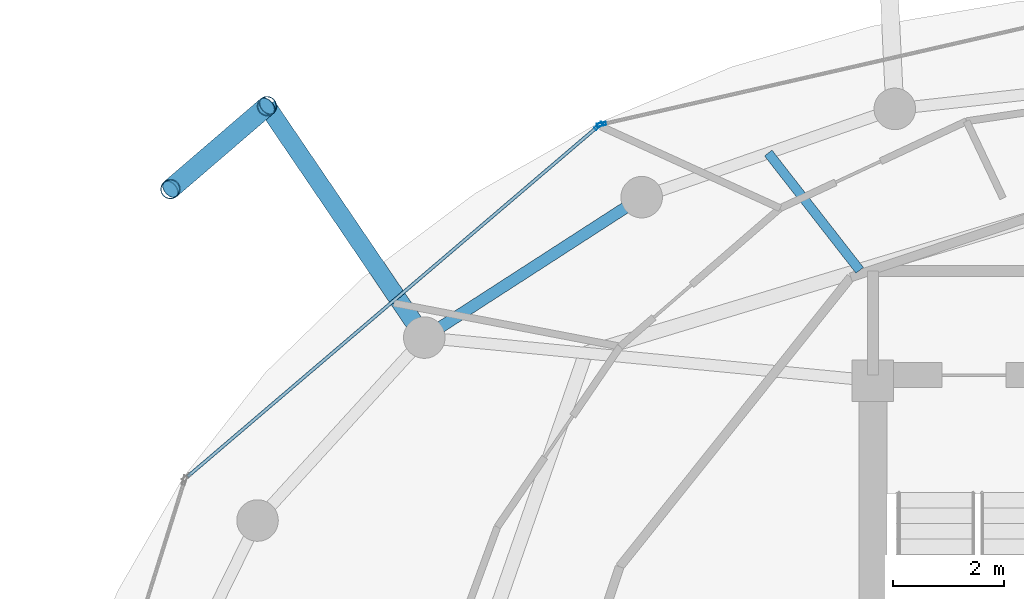
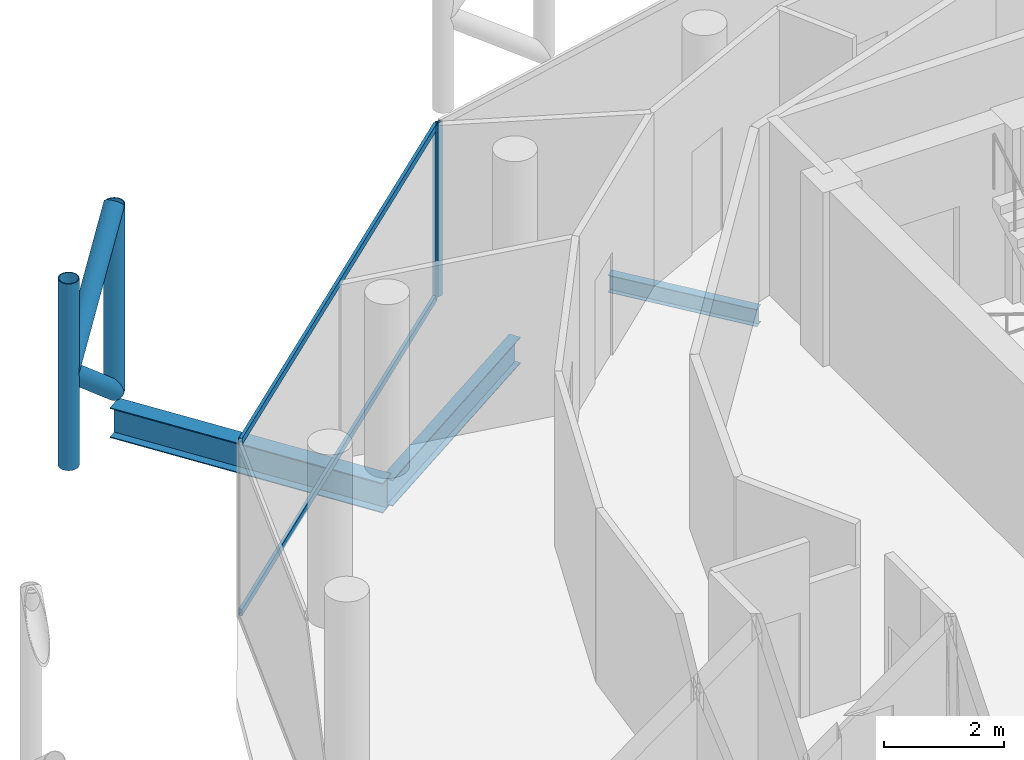
# One storey, part 15 of 24: 8 members, 3 beams, 2 elements without a shape of their own.
"""IFC4 building model written with IfcOpenShell, lengths in metres."""

from ifc_helpers import new_model, si_unit, direction, frame, origin, origin_2d, place, context, subcontext, project, spatial, hollow_rectangle, hollow_circle, i_section, extrude, material, layer, layer_set, material_profile, profile_set, type_object, element, aggregate, save


model = new_model("IFC4")

# Units and contexts
model_context = context("Model", 3, precision=1e-05, world=origin(), true_north=direction((0.0, 1.0)))
body_context = subcontext(model_context, "Body", "Model", "MODEL_VIEW")
ifc_project = project(units=[si_unit("LENGTHUNIT", "METRE"), si_unit("AREAUNIT", "SQUARE_METRE"), si_unit("VOLUMEUNIT", "CUBIC_METRE"), si_unit("PLANEANGLEUNIT", "RADIAN"), si_unit("MASSUNIT", "GRAM", prefix="KILO")], contexts=[model_context])

# Site, building, storey
site_placement = place(None, origin())
site = spatial("IfcSite", under=ifc_project, at=site_placement, CompositionType="ELEMENT")
building_placement = place(site_placement, origin())
building = spatial("IfcBuilding", under=site, at=building_placement, Name="Nuhasar Tower", CompositionType="ELEMENT")
storey_placement = place(building_placement, frame((0.0, 0.0, 289.800048828125)))
storey = spatial("IfcBuildingStorey", under=building, at=storey_placement, Name="L72", CompositionType="ELEMENT", Elevation=289.800048828125)

# Beams
ifc_material_1 = material(Name="Steel S355", Category="steel")
ifc_material_profile_1 = material_profile(ifc_material_1, i_section(OverallWidth=0.1708984375, OverallDepth=0.35205078125, WebThickness=0.0068359375, FlangeThickness=0.009765625, at=origin_2d()), Name="W14X30")
ifc_profile_set_1 = profile_set([ifc_material_profile_1], Name="Steel S355")
beam_type_1 = type_object("IfcBeamType", Name="BM-JST-W14X30", PredefinedType="JOIST", material=ifc_profile_set_1)
beam_1_placement = place(storey_placement, frame((33.4609375, 39.29296875, -0.43603515625), z_axis=(-0.614953767351, 0.788563164256, 0.0), x_axis=(-0.788563164256, -0.614953767351, 0.0)))
element("IfcBeam", 1, at=beam_1_placement, inside=storey, type_object=beam_type_1, Name="L72 Secondary Floor Joist 06", PredefinedType="JOIST", context=body_context, shape_type="SweptSolid", body=[
    extrude(i_section(OverallWidth=0.1708984375, OverallDepth=0.35205078125, WebThickness=0.0068359375, FlangeThickness=0.009765625, at=origin_2d()), origin(), (0.0, 0.0, 1.0), 2.6845703125),
])
ifc_material_profile_2 = material_profile(ifc_material_1, i_section(OverallWidth=0.2099609375, OverallDepth=0.537109375, WebThickness=0.010986328125, FlangeThickness=0.017333984375, at=origin_2d()), Name="W21X68")
ifc_profile_set_2 = profile_set([ifc_material_profile_2], Name="Steel S355")
beam_type_2 = type_object("IfcBeamType", Name="BM-RING-W21X68", PredefinedType="SPANDREL", material=ifc_profile_set_2)
beam_2_placement = place(storey_placement, frame((29.52490234375, 40.613037109375, -0.528076171875), z_axis=(-0.840001671147, -0.54258381147, 0.0), x_axis=(0.54258381147, -0.840001671147, 0.0)))
element("IfcBeam", 2, at=beam_2_placement, inside=storey, type_object=beam_type_2, Name="L72 Perimeter Ring Spandrel 09", PredefinedType="SPANDREL", context=body_context, shape_type="SweptSolid", body=[
    extrude(i_section(OverallWidth=0.2099609375, OverallDepth=0.537109375, WebThickness=0.010986328125, FlangeThickness=0.017333984375, at=origin_2d()), origin(), (0.0, 0.0, 1.0), 4.67236328125),
])
ifc_material_profile_3 = material_profile(ifc_material_1, i_section(OverallWidth=0.323974609375, OverallDepth=0.611083984375, WebThickness=0.0126953125, FlangeThickness=0.01904296875, at=origin_2d()), Name="W24X104")
ifc_profile_set_3 = profile_set([ifc_material_profile_3], Name="Steel S355")
beam_type_3 = type_object("IfcBeamType", Name="BM-TIE-W24X104", PredefinedType="BEAM", material=ifc_profile_set_3)
beam_3_placement = place(storey_placement, frame((25.60009765625, 38.077880859375, -0.56494140625), z_axis=(-0.562070792096, 0.827089127405, 0.0), x_axis=(-0.827089127405, -0.562070792096, 0.0)))
element("IfcBeam", 3, at=beam_3_placement, inside=storey, type_object=beam_type_3, Name="L72 Exoskeleton Node Tie Beam 05", PredefinedType="BEAM", context=body_context, shape_type="SweptSolid", body=[
    extrude(i_section(OverallWidth=0.323974609375, OverallDepth=0.611083984375, WebThickness=0.0126953125, FlangeThickness=0.01904296875, at=origin_2d()), origin(), (0.0, 0.0, 1.0), 5.052978515625),
])

# Curtain wall, member
ifc_material_2 = material(Name="Aluminium 6063-T6", Category="aluminium")
ifc_layer = layer(ifc_material_2, 0.18994140625)
ifc_layer_set = layer_set([ifc_layer], Name="Aluminium 6063-T6")
curtain_wall_type = type_object("IfcCurtainWallType", Name="CW-Z4-PEN", PredefinedType="NOTDEFINED", material=ifc_layer_set)
curtain_wall_1_placement = place(storey_placement, origin())
curtain_wall_1 = element("IfcCurtainWall", 4, at=curtain_wall_1_placement, inside=storey, type_object=curtain_wall_type, Name="L72 Unitised Curtain Wall 04", PredefinedType="NOTDEFINED")
ifc_material_profile_4 = material_profile(ifc_material_2, hollow_rectangle(XDim=0.06005859375, YDim=0.1650390625, WallThickness=0.0048828125, at=origin_2d()), Name="CWM-5")
ifc_profile_set_4 = profile_set([ifc_material_profile_4], Name="Aluminium 6063-T6")
member_type_1 = type_object("IfcMemberType", Name="CW-MUL-S5", PredefinedType="MULLION", material=ifc_profile_set_4)
member_1_placement = place(storey_placement, frame((28.79931640625, 41.927734375, 0.0), z_axis=(0.0, 0.0, 1.0), x_axis=(0.222889487645, -0.97484371891, 0.0)))
member_1 = element("IfcMember", 5, at=member_1_placement, type_object=member_type_1, Name="CW-Z4 mullion 2", PredefinedType="MULLION", context=body_context, shape_type="SweptSolid", body=[
    extrude(hollow_rectangle(XDim=0.06005859375, YDim=0.1650390625, WallThickness=0.0048828125, at=origin_2d()), origin(), (0.0, 0.0, 1.0), 3.5400390625),
])
aggregate(curtain_wall_1, [member_1])

# Curtain wall, members
curtain_wall_2_placement = place(storey_placement, origin())
curtain_wall_2 = element("IfcCurtainWall", 6, at=curtain_wall_2_placement, inside=storey, type_object=curtain_wall_type, Name="L72 Unitised Curtain Wall 05", PredefinedType="NOTDEFINED")
member_2_placement = place(storey_placement, frame((28.7470703125, 41.901611328125, 0.0), z_axis=(0.0, 0.0, 1.0), x_axis=(0.649141996205, -0.760667252327, 0.0)))
member_2 = element("IfcMember", 7, at=member_2_placement, type_object=member_type_1, Name="CW-Z4 mullion 1", PredefinedType="MULLION", context=body_context, shape_type="SweptSolid", body=[
    extrude(hollow_rectangle(XDim=0.06005859375, YDim=0.1650390625, WallThickness=0.0048828125, at=origin_2d()), origin(), (0.0, 0.0, 1.0), 3.5400390625),
])
ifc_material_profile_5 = material_profile(ifc_material_2, hollow_rectangle(XDim=0.06005859375, YDim=0.135009765625, WallThickness=0.00439453125, at=origin_2d()), Name="CWT-5")
ifc_profile_set_5 = profile_set([ifc_material_profile_5], Name="Aluminium 6063-T6")
member_type_2 = type_object("IfcMemberType", Name="CW-TRN-S5", PredefinedType="USERDEFINED", material=ifc_profile_set_5)
member_3_placement = place(storey_placement, frame((28.724365234375, 41.882080078125, 0.030029296875), z_axis=(-0.760660035709, -0.649150452573, 0.0), x_axis=(0.649150452573, -0.760660035709, 0.0)))
member_3 = element("IfcMember", 8, at=member_3_placement, type_object=member_type_2, Name="CW-Z4 transom 1.1", ObjectType="TRANSOM", PredefinedType="USERDEFINED", context=body_context, shape_type="SweptSolid", body=[
    extrude(hollow_rectangle(XDim=0.06005859375, YDim=0.135009765625, WallThickness=0.00439453125, at=origin_2d()), origin(), (0.0, 0.0, 1.0), 9.725341796875),
])
member_4_placement = place(storey_placement, frame((28.724365234375, 41.882080078125, 3.510009765625), z_axis=(-0.760660035709, -0.649150452573, 0.0), x_axis=(0.649150452573, -0.760660035709, 0.0)))
member_4 = element("IfcMember", 9, at=member_4_placement, type_object=member_type_2, Name="CW-Z4 transom 1.2", ObjectType="TRANSOM", PredefinedType="USERDEFINED", context=body_context, shape_type="SweptSolid", body=[
    extrude(hollow_rectangle(XDim=0.06005859375, YDim=0.135009765625, WallThickness=0.00439453125, at=origin_2d()), origin(), (0.0, 0.0, 1.0), 9.725341796875),
])
aggregate(curtain_wall_2, [member_2, member_3, member_4])

# Members
ifc_material_3 = material(Name="Steel S460", Category="steel")
ifc_material_profile_6 = material_profile(ifc_material_3, hollow_circle(Radius=0.177734375, WallThickness=0.015869140625, at=origin_2d()), Name="HSS355.6X15.9")
ifc_profile_set_6 = profile_set([ifc_material_profile_6], Name="Steel S460")
member_type_3 = type_object("IfcMemberType", Name="EXO-BRONZE-356", PredefinedType="BRACE", material=ifc_profile_set_6)
for number, where, z_axis, x_axis, name in (
    (10, (22.760009765625, 42.257080078125, 0.0), (0.0, 0.0, 1.0), (1.0, 0.0, 0.0), "L72 Exoskeleton Chord Column EC-05A"),
    (11, (21.01611328125, 40.758056640625, 0.0), (0.0, 0.0, 1.0), (1.0, 0.0, 0.0), "L72 Exoskeleton Chord Column EC-05B"),
):
    element("IfcMember", number, at=place(storey_placement, frame(where, z_axis=z_axis, x_axis=x_axis)), inside=storey, type_object=member_type_3, Name=name, PredefinedType="BRACE", context=body_context, shape_type="SweptSolid", body=[
        extrude(hollow_circle(Radius=0.177734375, WallThickness=0.015869140625, at=origin_2d()), origin(), (0.0, 0.0, 1.0), 3.800048828125),
    ])
member_5_placement = place(storey_placement, frame((22.760009765625, 42.257080078125, 0.0), z_axis=(-0.584625223306, -0.502533791278, 0.636924749792), x_axis=(0.65185738425, -0.758341579104, 0.0)))
element("IfcMember", 12, at=member_5_placement, inside=storey, type_object=member_type_3, Name="L72 Bronze Diagrid Brace W1-05", PredefinedType="BRACE", context=body_context, shape_type="SweptSolid", body=[
    extrude(hollow_circle(Radius=0.177734375, WallThickness=0.015869140625, at=origin_2d()), origin(), (0.0, 0.0, 1.0), 2.98291015625),
])
member_6_placement = place(storey_placement, frame((21.01611328125, 40.758056640625, 1.89990234375), z_axis=(0.584594747408, 0.50250759472, 0.636973389203), x_axis=(-0.65185738425, 0.758341579104, 0.0)))
element("IfcMember", 13, at=member_6_placement, inside=storey, type_object=member_type_3, Name="L72 Bronze Diagrid Brace W2-05", PredefinedType="BRACE", context=body_context, shape_type="SweptSolid", body=[
    extrude(hollow_circle(Radius=0.177734375, WallThickness=0.015869140625, at=origin_2d()), origin(), (0.0, 0.0, 1.0), 2.983154296875),
])

save(model, "model.ifc")
